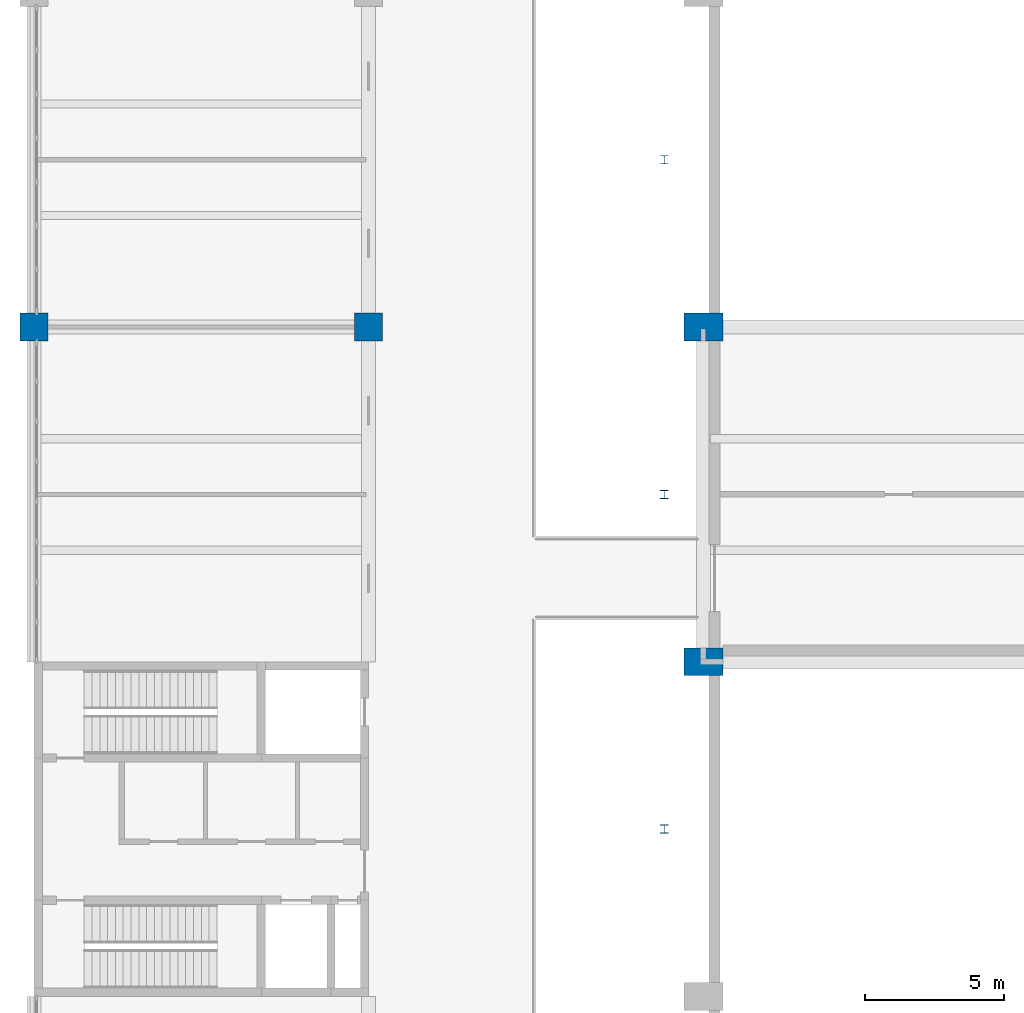
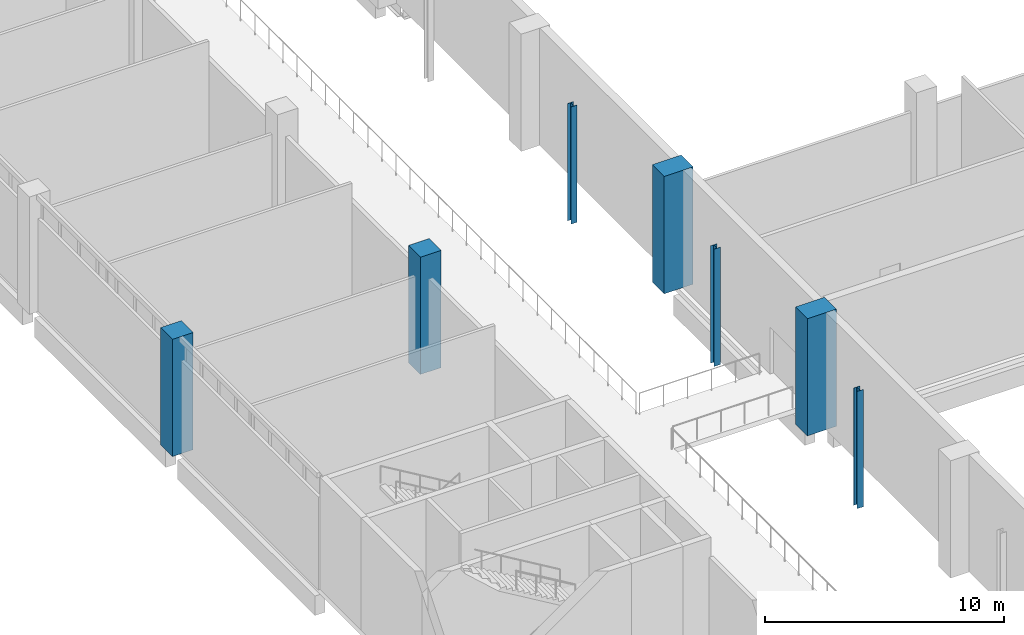
# One storey, part 4 of 72: 7 columns.
"""IFC4 building model written with IfcOpenShell, lengths in metres."""

from ifc_helpers import new_model, si_unit, direction, frame, origin, origin_2d, place, context, subcontext, project, spatial, rectangle, i_section, extrude, material, material_profile, profile_set, type_object, element, save


model = new_model("IFC4")

# Units and contexts
model_context = context("Model", 3, precision=1e-05, world=origin(), true_north=direction((0.0, 1.0)))
body_context = subcontext(model_context, "Body", "Model", "MODEL_VIEW")
ifc_project = project(units=[si_unit("LENGTHUNIT", "METRE"), si_unit("AREAUNIT", "SQUARE_METRE"), si_unit("VOLUMEUNIT", "CUBIC_METRE"), si_unit("PLANEANGLEUNIT", "RADIAN"), si_unit("MASSUNIT", "GRAM", prefix="KILO")], contexts=[model_context])

# Site, building, storey
site_placement = place(None, origin())
site = spatial("IfcSite", under=ifc_project, at=site_placement, CompositionType="ELEMENT")
building_placement = place(site_placement, origin())
building = spatial("IfcBuilding", under=site, at=building_placement, Name="Lilac Gate Convention Centre", CompositionType="ELEMENT")
storey_placement = place(building_placement, frame((0.0, 0.0, 6.0)))
storey = spatial("IfcBuildingStorey", under=building, at=storey_placement, Name="L01", CompositionType="ELEMENT", Elevation=6.0)

# Columns
ifc_material_1 = material(Name="Concrete C40", Category="concrete")
ifc_material_profile_1 = material_profile(ifc_material_1, rectangle(XDim=1.0, YDim=1.0, at=origin_2d()), Name="RC 1000x1000")
ifc_profile_set_1 = profile_set([ifc_material_profile_1], Name="Concrete C40")
column_type_1 = type_object("IfcColumnType", Name="RC column 1000x1000 C40", PredefinedType="COLUMN", material=ifc_profile_set_1)
for number, where, z_axis, x_axis, name in (
    (1, (6.0, 114.0, 0.0), (0.0, 0.0, 1.0), (1.0, 0.0, 0.0), "C1 L01 at 1/H"),
    (2, (18.0, 114.0, 0.0), (0.0, 0.0, 1.0), (1.0, 0.0, 0.0), "C1 L01 at 2/H"),
):
    element("IfcColumn", number, at=place(storey_placement, frame(where, z_axis=z_axis, x_axis=x_axis)), inside=storey, type_object=column_type_1, Name=name, PredefinedType="COLUMN", context=body_context, shape_type="SweptSolid", body=[
        extrude(rectangle(XDim=1.0, YDim=1.0, at=origin_2d()), origin(), (0.0, 0.0, 1.0), 6.0),
    ])
ifc_material_profile_2 = material_profile(ifc_material_1, rectangle(XDim=1.39990234375, YDim=1.0, at=origin_2d()), Name="RC 1400x1000")
ifc_profile_set_2 = profile_set([ifc_material_profile_2], Name="Concrete C40")
column_type_2 = type_object("IfcColumnType", Name="RC hall column 1400x1000 C40", PredefinedType="COLUMN", material=ifc_profile_set_2)
for number, where, z_axis, x_axis, name in (
    (3, (30.0, 102.0, 0.0), (0.0, 0.0, 1.0), (1.0, 0.0, 0.0), "C2 L01 at 3/G"),
    (4, (30.0, 114.0, 0.0), (0.0, 0.0, 1.0), (1.0, 0.0, 0.0), "C2 L01 at 3/H"),
):
    element("IfcColumn", number, at=place(storey_placement, frame(where, z_axis=z_axis, x_axis=x_axis)), inside=storey, type_object=column_type_2, Name=name, PredefinedType="COLUMN", context=body_context, shape_type="SweptSolid", body=[
        extrude(rectangle(XDim=1.39990234375, YDim=1.0, at=origin_2d()), origin(), (0.0, 0.0, 1.0), 6.0),
    ])
ifc_material_2 = material(Name="Steel Q355B", Category="steel")
ifc_material_profile_3 = material_profile(ifc_material_2, i_section(OverallWidth=0.300048828125, OverallDepth=0.300048828125, WebThickness=0.010009765625, FlangeThickness=0.014892578125, FilletRadius=0.012939453125, at=origin_2d()), Name="HW300x300x10x15")
ifc_profile_set_3 = profile_set([ifc_material_profile_3], Name="Steel Q355B")
column_type_3 = type_object("IfcColumnType", Name="Steel column HW300x300x10x15", PredefinedType="COLUMN", material=ifc_profile_set_3)
for number, where, z_axis, x_axis, name in (
    (5, (28.60009765625, 96.0, 0.0), (0.0, 0.0, 1.0), (1.0, 0.0, 0.0), "SC1 L01 atrium column at 96"),
    (6, (28.60009765625, 108.0, 0.0), (0.0, 0.0, 1.0), (1.0, 0.0, 0.0), "SC1 L01 atrium column at 108"),
    (7, (28.60009765625, 120.0, 0.0), (0.0, 0.0, 1.0), (1.0, 0.0, 0.0), "SC1 L01 atrium column at 120"),
):
    element("IfcColumn", number, at=place(storey_placement, frame(where, z_axis=z_axis, x_axis=x_axis)), inside=storey, type_object=column_type_3, Name=name, PredefinedType="COLUMN", context=body_context, shape_type="SweptSolid", body=[
        extrude(i_section(OverallWidth=0.300048828125, OverallDepth=0.300048828125, WebThickness=0.010009765625, FlangeThickness=0.014892578125, FilletRadius=0.012939453125, at=origin_2d()), origin(), (0.0, 0.0, 1.0), 6.0),
    ])

save(model, "model.ifc")
